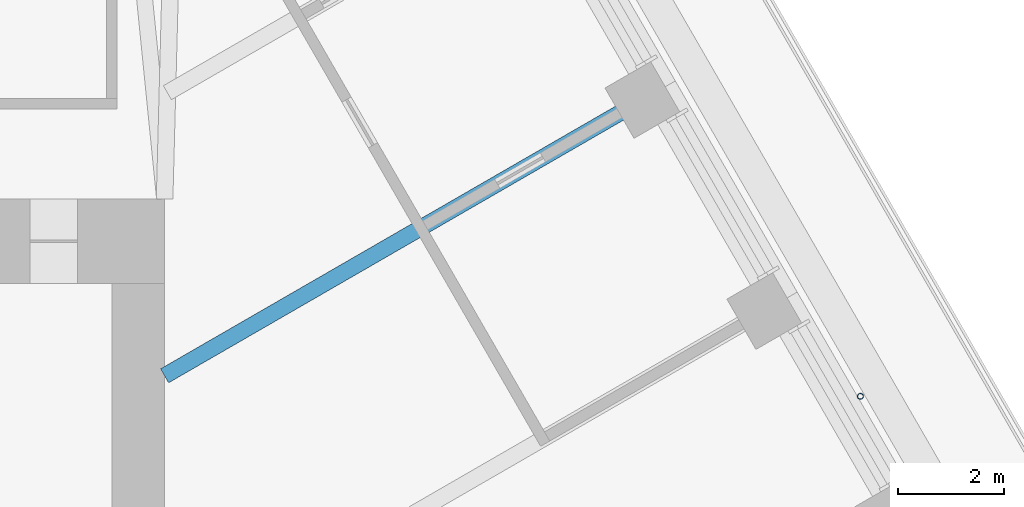
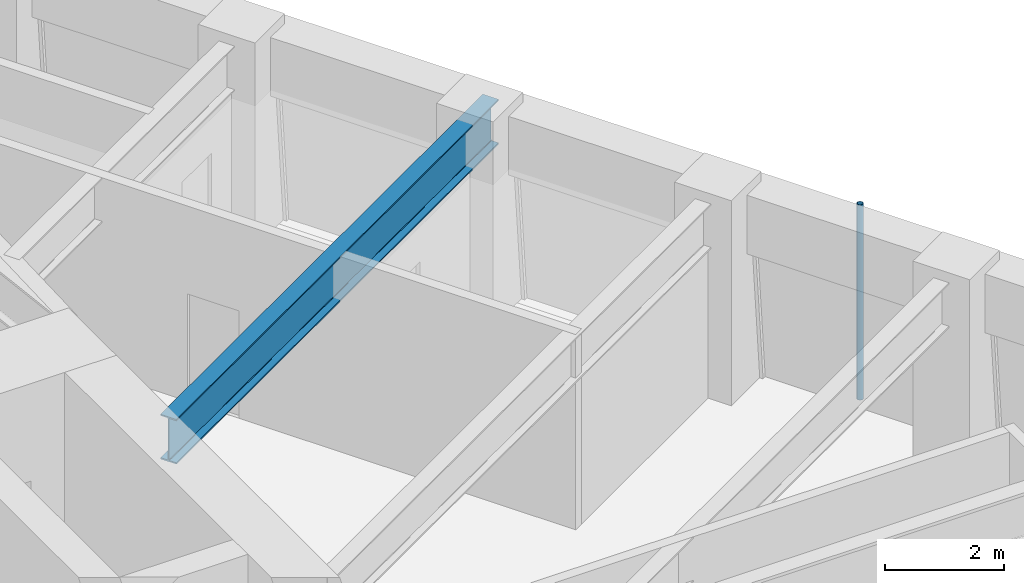
# One storey, part 10 of 20: 1 beam, 1 member.
"""IFC4 building model written with IfcOpenShell, lengths in metres."""

from ifc_helpers import new_model, si_unit, direction, frame, origin, origin_2d, place, context, subcontext, project, spatial, hollow_circle, i_section, extrude, material, material_profile, profile_set, type_object, element, save


model = new_model("IFC4")

# Units and contexts
model_context = context("Model", 3, precision=1e-05, world=origin(), true_north=direction((0.0, 1.0)))
body_context = subcontext(model_context, "Body", "Model", "MODEL_VIEW")
ifc_project = project(units=[si_unit("LENGTHUNIT", "METRE"), si_unit("AREAUNIT", "SQUARE_METRE"), si_unit("VOLUMEUNIT", "CUBIC_METRE"), si_unit("PLANEANGLEUNIT", "RADIAN"), si_unit("MASSUNIT", "GRAM", prefix="KILO")], contexts=[model_context])

# Site, building, storey
site_placement = place(None, origin())
site = spatial("IfcSite", under=ifc_project, at=site_placement, CompositionType="ELEMENT")
building_placement = place(site_placement, origin())
building = spatial("IfcBuilding", under=site, at=building_placement, Name="Tarfa Lantern Tower", CompositionType="ELEMENT")
storey_placement = place(building_placement, frame((0.0, 0.0, 291.10009765625)))
storey = spatial("IfcBuildingStorey", under=building, at=storey_placement, Name="L66", CompositionType="ELEMENT", Elevation=291.10009765625)

# Member
ifc_material_1 = material(Name="Steel S355", Category="steel")
ifc_material_profile_1 = material_profile(ifc_material_1, hollow_circle(Radius=0.05712890625, WallThickness=0.00634765625, at=origin_2d()), Name="CHS114.3x6.3")
ifc_profile_set_1 = profile_set([ifc_material_profile_1], Name="Steel S355")
member_type = type_object("IfcMemberType", Name="TR1 GREEN WALL TRELLIS CHS114.3x6.3", PredefinedType="USERDEFINED", material=ifc_profile_set_1)
member_placement = place(storey_placement, frame((28.682861328125, 8.56005859375, 0.0), z_axis=(0.0, 0.0, 1.0), x_axis=(1.0, 0.0, 0.0)))
element("IfcMember", 1, at=member_placement, inside=storey, type_object=member_type, Name="Trellis post NE 1", ObjectType="TRELLIS", PredefinedType="USERDEFINED", context=body_context, shape_type="SweptSolid", body=[
    extrude(hollow_circle(Radius=0.05712890625, WallThickness=0.00634765625, at=origin_2d()), origin(), (0.0, 0.0, 1.0), 4.0),
])

# Beam
ifc_material_2 = material(Name="Steel S460M", Category="steel")
ifc_material_profile_2 = material_profile(ifc_material_2, i_section(OverallWidth=0.305419921875, OverallDepth=0.91845703125, WebThickness=0.017333984375, FlangeThickness=0.02783203125, FilletRadius=0.01904296875, at=origin_2d()), Name="UB914x305x253")
ifc_profile_set_2 = profile_set([ifc_material_profile_2], Name="Steel S460M")
beam_type = type_object("IfcBeamType", Name="UB914x305x253", PredefinedType="BEAM", material=ifc_profile_set_2)
beam_placement = place(storey_placement, frame((24.872314453125, 14.360107421875, 3.540771484375), z_axis=(-0.8660244219, -0.500001700669, 0.0), x_axis=(0.500001700669, -0.8660244219, 0.0)))
element("IfcBeam", 2, at=beam_placement, inside=storey, type_object=beam_type, Name="Floor beam NE3", PredefinedType="BEAM", context=body_context, shape_type="SweptSolid", body=[
    extrude(i_section(OverallWidth=0.305419921875, OverallDepth=0.91845703125, WebThickness=0.017333984375, FlangeThickness=0.02783203125, FilletRadius=0.01904296875, at=origin_2d()), origin(), (0.0, 0.0, 1.0), 10.822265625),
])

save(model, "model.ifc")
